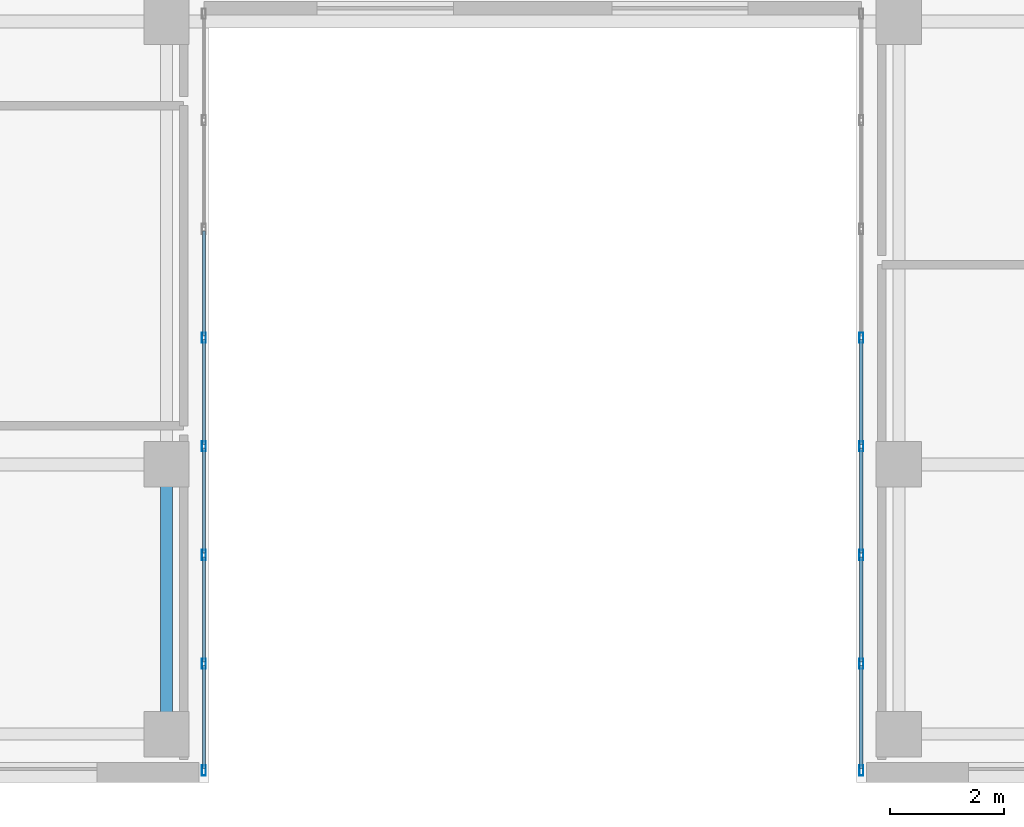
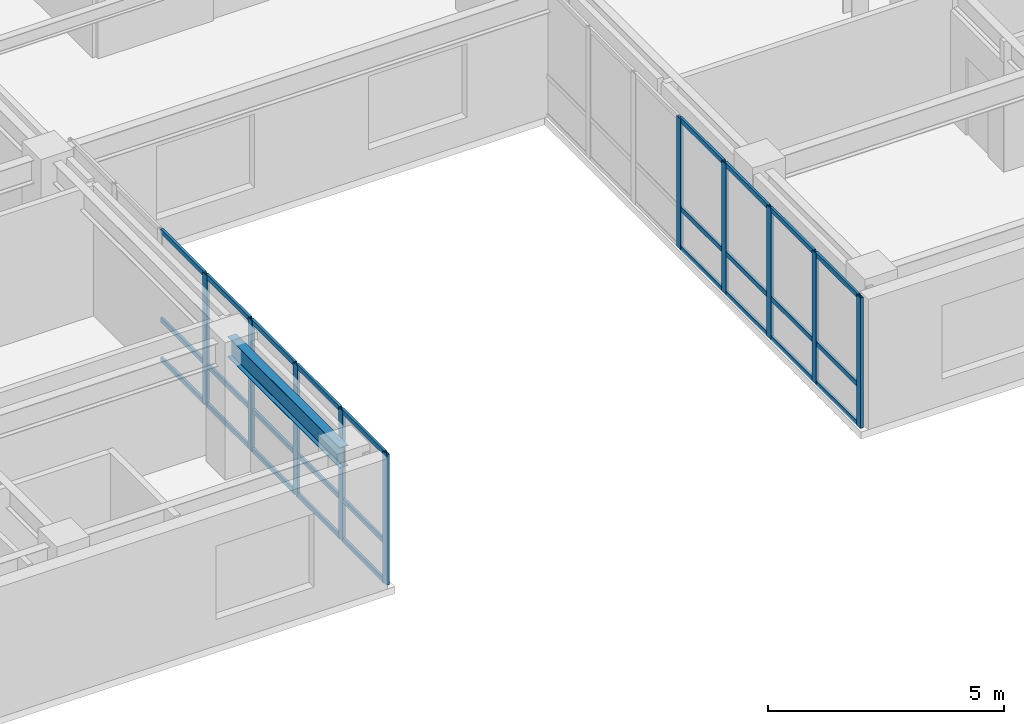
# One storey, part 3 of 14: 37 members, 1 beam, 2 elements without a shape of their own.
"""IFC4 building model written with IfcOpenShell, lengths in metres."""

from ifc_helpers import new_model, si_unit, direction, frame, origin, origin_2d, place, context, subcontext, project, spatial, hollow_rectangle, i_section, extrude, source, transform, mapped, material, layer, layer_set, material_profile, profile_set, type_object, type_shapes, element, aggregate, save


model = new_model("IFC4")

# Units and contexts
model_context = context("Model", 3, precision=1e-05, world=origin(), true_north=direction((0.0, 1.0)))
body_context = subcontext(model_context, "Body", "Model", "MODEL_VIEW")
ifc_project = project(units=[si_unit("LENGTHUNIT", "METRE"), si_unit("AREAUNIT", "SQUARE_METRE"), si_unit("VOLUMEUNIT", "CUBIC_METRE"), si_unit("PLANEANGLEUNIT", "RADIAN"), si_unit("MASSUNIT", "GRAM", prefix="KILO")], contexts=[model_context])

# Site, building, storey
site_placement = place(None, origin())
site = spatial("IfcSite", under=ifc_project, at=site_placement, CompositionType="ELEMENT")
building_placement = place(site_placement, origin())
building = spatial("IfcBuilding", under=site, at=building_placement, Name="Tolvann Quenvar Hotel", CompositionType="ELEMENT")
storey_placement = place(building_placement, frame((0.0, 0.0, 187.550048828125)))
storey = spatial("IfcBuildingStorey", under=building, at=storey_placement, Name="L49", CompositionType="ELEMENT", Elevation=187.550048828125)

# Beam
ifc_material_1 = material(Name="Steel Grade 350", Category="steel")
ifc_material_profile_1 = material_profile(ifc_material_1, i_section(OverallWidth=0.208984375, OverallDepth=0.532958984375, WebThickness=0.01025390625, FlangeThickness=0.015625, FilletRadius=0.013916015625, at=origin_2d()), Name="530UB92")
ifc_profile_set_1 = profile_set([ifc_material_profile_1], Name="Steel Grade 350")
beam_type = type_object("IfcBeamType", Name="BM_GIRD_530UB92", PredefinedType="BEAM", material=ifc_profile_set_1)
shared_shape_1 = source(origin(), body_context, "Body", "SweptSolid", [
    extrude(i_section(OverallWidth=0.208984375, OverallDepth=0.532958984375, WebThickness=0.01025390625, FlangeThickness=0.015625, FilletRadius=0.013916015625, at=origin_2d()), origin(), (0.0, 0.0, 1.0), 4.75),
])
type_shapes(beam_type, [shared_shape_1])
beam_placement = place(storey_placement, frame((22.050048828125, 3.449951171875, 3.103515625), z_axis=(0.0, 1.0, 0.0), x_axis=(-1.0, 0.0, 0.0)))
element("IfcBeam", 1, at=beam_placement, inside=storey, type_object=beam_type, Name="BM-L49-NS-E2-E3", PredefinedType="BEAM", context=body_context, shape_type="MappedRepresentation", body=[
    mapped(shared_shape_1, transform((0.0, 0.0, 0.0), x_axis=(1.0, 0.0, 0.0), y_axis=(0.0, 1.0, 0.0), z_axis=(0.0, 0.0, 1.0), scale=1.0)),
])

# Curtain wall, members
ifc_material_2 = material(Name="Thermally broken anodised architectural aluminium 6063-T6 and laminated low-E glass", Category="aluminium")
ifc_layer = layer(ifc_material_2, 0.179931640625)
ifc_layer_set = layer_set([ifc_layer], Name="Thermally broken anodised architectural aluminium 6063-T6 and laminated low-E glass")
curtain_wall_type = type_object("IfcCurtainWallType", Name="CW_SYS_SLOT_03", PredefinedType="USERDEFINED", material=ifc_layer_set)
curtain_wall_1_placement = place(storey_placement, origin())
curtain_wall_1 = element("IfcCurtainWall", 2, at=curtain_wall_1_placement, inside=storey, type_object=curtain_wall_type, Name="Curtain Wall CW-SLOT-03 (CWR-L49-E05)", ObjectType="UNITISED CURTAIN WALL", PredefinedType="USERDEFINED")
ifc_material_3 = material(Name="Anodised architectural aluminium 6063-T6 framing", Category="aluminium")
ifc_material_profile_2 = material_profile(ifc_material_3, hollow_rectangle(XDim=0.070068359375, YDim=0.179931640625, WallThickness=0.00390625, at=origin_2d()), Name="180x70x4RHS")
ifc_profile_set_2 = profile_set([ifc_material_profile_2], Name="Anodised architectural aluminium 6063-T6 framing")
member_type_1 = type_object("IfcMemberType", Name="CW_MULL_180x70", PredefinedType="MULLION", material=ifc_profile_set_2)
shared_shape_2 = source(origin(), body_context, "Body", "SweptSolid", [
    extrude(hollow_rectangle(XDim=0.070068359375, YDim=0.179931640625, WallThickness=0.00390625, at=origin_2d()), origin(), (0.0, 0.0, 1.0), 3.369873046875),
])
type_shapes(member_type_1, [shared_shape_2])
member_1_placement = place(storey_placement, frame((22.7099609375, 2.81005859375, 0.0), z_axis=(0.0, 0.0, 1.0), x_axis=(-1.0, 0.0, 0.0)))
member_1 = element("IfcMember", 3, at=member_1_placement, type_object=member_type_1, Name="CW-SLOT-03 mullion 1", PredefinedType="MULLION", context=body_context, shape_type="MappedRepresentation", body=[
    mapped(shared_shape_2, transform((0.0, 0.0, 0.0), x_axis=(1.0, 0.0, 0.0), y_axis=(0.0, 1.0, 0.0), z_axis=(0.0, 0.0, 1.0), scale=1.0)),
])
member_2_placement = place(storey_placement, frame((22.7099609375, 4.689208984375, 0.0), z_axis=(0.0, 0.0, 1.0), x_axis=(-1.0, 0.0, 0.0)))
member_2 = element("IfcMember", 4, at=member_2_placement, type_object=member_type_1, Name="CW-SLOT-03 mullion 2", PredefinedType="MULLION", context=body_context, shape_type="MappedRepresentation", body=[
    mapped(shared_shape_2, transform((0.0, 0.0, 0.0), x_axis=(1.0, 0.0, 0.0), y_axis=(0.0, 1.0, 0.0), z_axis=(0.0, 0.0, 1.0), scale=1.0)),
])
member_3_placement = place(storey_placement, frame((22.7099609375, 6.603515625, 0.0), z_axis=(0.0, 0.0, 1.0), x_axis=(-1.0, 0.0, 0.0)))
member_3 = element("IfcMember", 5, at=member_3_placement, type_object=member_type_1, Name="CW-SLOT-03 mullion 3", PredefinedType="MULLION", context=body_context, shape_type="MappedRepresentation", body=[
    mapped(shared_shape_2, transform((0.0, 0.0, 0.0), x_axis=(1.0, 0.0, 0.0), y_axis=(0.0, 1.0, 0.0), z_axis=(0.0, 0.0, 1.0), scale=1.0)),
])
member_4_placement = place(storey_placement, frame((22.7099609375, 8.517822265625, 0.0), z_axis=(0.0, 0.0, 1.0), x_axis=(-1.0, 0.0, 0.0)))
member_4 = element("IfcMember", 6, at=member_4_placement, type_object=member_type_1, Name="CW-SLOT-03 mullion 4", PredefinedType="MULLION", context=body_context, shape_type="MappedRepresentation", body=[
    mapped(shared_shape_2, transform((0.0, 0.0, 0.0), x_axis=(1.0, 0.0, 0.0), y_axis=(0.0, 1.0, 0.0), z_axis=(0.0, 0.0, 1.0), scale=1.0)),
])
member_5_placement = place(storey_placement, frame((22.7099609375, 10.43212890625, 0.0), z_axis=(0.0, 0.0, 1.0), x_axis=(-1.0, 0.0, 0.0)))
member_5 = element("IfcMember", 7, at=member_5_placement, type_object=member_type_1, Name="CW-SLOT-03 mullion 5", PredefinedType="MULLION", context=body_context, shape_type="MappedRepresentation", body=[
    mapped(shared_shape_2, transform((0.0, 0.0, 0.0), x_axis=(1.0, 0.0, 0.0), y_axis=(0.0, 1.0, 0.0), z_axis=(0.0, 0.0, 1.0), scale=1.0)),
])

curtain_wall_2_placement = place(storey_placement, origin())
curtain_wall_2 = element("IfcCurtainWall", 8, at=curtain_wall_2_placement, inside=storey, type_object=curtain_wall_type, Name="Curtain Wall CW-SLOT-03 (CWR-L49-E07)", ObjectType="UNITISED CURTAIN WALL", PredefinedType="USERDEFINED")
member_6_placement = place(storey_placement, frame((34.2900390625, 10.43212890625, 0.0), z_axis=(0.0, 0.0, 1.0), x_axis=(1.0, 0.0, 0.0)))
member_6 = element("IfcMember", 9, at=member_6_placement, type_object=member_type_1, Name="CW-SLOT-03 mullion 4", PredefinedType="MULLION", context=body_context, shape_type="MappedRepresentation", body=[
    mapped(shared_shape_2, transform((0.0, 0.0, 0.0), x_axis=(1.0, 0.0, 0.0), y_axis=(0.0, 1.0, 0.0), z_axis=(0.0, 0.0, 1.0), scale=1.0)),
])
member_7_placement = place(storey_placement, frame((34.2900390625, 8.517822265625, 0.0), z_axis=(0.0, 0.0, 1.0), x_axis=(1.0, 0.0, 0.0)))
member_7 = element("IfcMember", 10, at=member_7_placement, type_object=member_type_1, Name="CW-SLOT-03 mullion 5", PredefinedType="MULLION", context=body_context, shape_type="MappedRepresentation", body=[
    mapped(shared_shape_2, transform((0.0, 0.0, 0.0), x_axis=(1.0, 0.0, 0.0), y_axis=(0.0, 1.0, 0.0), z_axis=(0.0, 0.0, 1.0), scale=1.0)),
])
member_8_placement = place(storey_placement, frame((34.2900390625, 6.603515625, 0.0), z_axis=(0.0, 0.0, 1.0), x_axis=(1.0, 0.0, 0.0)))
member_8 = element("IfcMember", 11, at=member_8_placement, type_object=member_type_1, Name="CW-SLOT-03 mullion 6", PredefinedType="MULLION", context=body_context, shape_type="MappedRepresentation", body=[
    mapped(shared_shape_2, transform((0.0, 0.0, 0.0), x_axis=(1.0, 0.0, 0.0), y_axis=(0.0, 1.0, 0.0), z_axis=(0.0, 0.0, 1.0), scale=1.0)),
])
member_9_placement = place(storey_placement, frame((34.2900390625, 4.689208984375, 0.0), z_axis=(0.0, 0.0, 1.0), x_axis=(1.0, 0.0, 0.0)))
member_9 = element("IfcMember", 12, at=member_9_placement, type_object=member_type_1, Name="CW-SLOT-03 mullion 7", PredefinedType="MULLION", context=body_context, shape_type="MappedRepresentation", body=[
    mapped(shared_shape_2, transform((0.0, 0.0, 0.0), x_axis=(1.0, 0.0, 0.0), y_axis=(0.0, 1.0, 0.0), z_axis=(0.0, 0.0, 1.0), scale=1.0)),
])
member_10_placement = place(storey_placement, frame((34.2900390625, 2.81005859375, 0.0), z_axis=(0.0, 0.0, 1.0), x_axis=(1.0, 0.0, 0.0)))
member_10 = element("IfcMember", 13, at=member_10_placement, type_object=member_type_1, Name="CW-SLOT-03 mullion 8", PredefinedType="MULLION", context=body_context, shape_type="MappedRepresentation", body=[
    mapped(shared_shape_2, transform((0.0, 0.0, 0.0), x_axis=(1.0, 0.0, 0.0), y_axis=(0.0, 1.0, 0.0), z_axis=(0.0, 0.0, 1.0), scale=1.0)),
])

# Member
ifc_material_profile_3 = material_profile(ifc_material_3, hollow_rectangle(XDim=0.06005859375, YDim=0.1201171875, WallThickness=0.00341796875, at=origin_2d()), Name="120x60x3.5RHS")
ifc_profile_set_3 = profile_set([ifc_material_profile_3], Name="Anodised architectural aluminium 6063-T6 framing")
member_type_2 = type_object("IfcMemberType", Name="CW_TRAN_120x60", PredefinedType="USERDEFINED", material=ifc_profile_set_3)
shared_shape_3 = source(origin(), body_context, "Body", "SweptSolid", [
    extrude(hollow_rectangle(XDim=0.06005859375, YDim=0.1201171875, WallThickness=0.00341796875, at=origin_2d()), origin(), (0.0, 0.0, 1.0), 1.809326171875),
])
member_11_placement = place(storey_placement, frame((22.7099609375, 2.844970703125, 0.030029296875), z_axis=(0.0, 1.0, 0.0), x_axis=(-1.0, 0.0, 0.0)))
member_11 = element("IfcMember", 14, at=member_11_placement, type_object=member_type_2, Name="CW-SLOT-03 transom 1.1", ObjectType="TRANSOM", PredefinedType="USERDEFINED", context=body_context, shape_type="MappedRepresentation", body=[
    mapped(shared_shape_3, transform((0.0, 0.0, 0.0), x_axis=(1.0, 0.0, 0.0), y_axis=(0.0, 1.0, 0.0), z_axis=(0.0, 0.0, 1.0), scale=1.0)),
])

member_12_placement = place(storey_placement, frame((22.7099609375, 2.844970703125, 1.050048828125), z_axis=(0.0, 1.0, 0.0), x_axis=(-1.0, 0.0, 0.0)))
member_12 = element("IfcMember", 15, at=member_12_placement, type_object=member_type_2, Name="CW-SLOT-03 transom 1.2", ObjectType="TRANSOM", PredefinedType="USERDEFINED", context=body_context, shape_type="MappedRepresentation", body=[
    mapped(shared_shape_3, transform((0.0, 0.0, 0.0), x_axis=(1.0, 0.0, 0.0), y_axis=(0.0, 1.0, 0.0), z_axis=(0.0, 0.0, 1.0), scale=1.0)),
])

member_13_placement = place(storey_placement, frame((22.7099609375, 2.844970703125, 3.33984375), z_axis=(0.0, 1.0, 0.0), x_axis=(-1.0, 0.0, 0.0)))
member_13 = element("IfcMember", 16, at=member_13_placement, type_object=member_type_2, Name="CW-SLOT-03 transom 1.3", ObjectType="TRANSOM", PredefinedType="USERDEFINED", context=body_context, shape_type="MappedRepresentation", body=[
    mapped(shared_shape_3, transform((0.0, 0.0, 0.0), x_axis=(1.0, 0.0, 0.0), y_axis=(0.0, 1.0, 0.0), z_axis=(0.0, 0.0, 1.0), scale=1.0)),
])

member_14_placement = place(storey_placement, frame((34.2900390625, 4.654296875, 0.030029296875), z_axis=(0.0, -1.0, 0.0), x_axis=(1.0, 0.0, 0.0)))
member_14 = element("IfcMember", 17, at=member_14_placement, type_object=member_type_2, Name="CW-SLOT-03 transom 7.1", ObjectType="TRANSOM", PredefinedType="USERDEFINED", context=body_context, shape_type="MappedRepresentation", body=[
    mapped(shared_shape_3, transform((0.0, 0.0, 0.0), x_axis=(1.0, 0.0, 0.0), y_axis=(0.0, 1.0, 0.0), z_axis=(0.0, 0.0, 1.0), scale=1.0)),
])

member_15_placement = place(storey_placement, frame((34.2900390625, 4.654296875, 1.050048828125), z_axis=(0.0, -1.0, 0.0), x_axis=(1.0, 0.0, 0.0)))
member_15 = element("IfcMember", 18, at=member_15_placement, type_object=member_type_2, Name="CW-SLOT-03 transom 7.2", ObjectType="TRANSOM", PredefinedType="USERDEFINED", context=body_context, shape_type="MappedRepresentation", body=[
    mapped(shared_shape_3, transform((0.0, 0.0, 0.0), x_axis=(1.0, 0.0, 0.0), y_axis=(0.0, 1.0, 0.0), z_axis=(0.0, 0.0, 1.0), scale=1.0)),
])

member_16_placement = place(storey_placement, frame((34.2900390625, 4.654296875, 3.33984375), z_axis=(0.0, -1.0, 0.0), x_axis=(1.0, 0.0, 0.0)))
member_16 = element("IfcMember", 19, at=member_16_placement, type_object=member_type_2, Name="CW-SLOT-03 transom 7.3", ObjectType="TRANSOM", PredefinedType="USERDEFINED", context=body_context, shape_type="MappedRepresentation", body=[
    mapped(shared_shape_3, transform((0.0, 0.0, 0.0), x_axis=(1.0, 0.0, 0.0), y_axis=(0.0, 1.0, 0.0), z_axis=(0.0, 0.0, 1.0), scale=1.0)),
])

shared_shape_4 = source(origin(), body_context, "Body", "SweptSolid", [
    extrude(hollow_rectangle(XDim=0.06005859375, YDim=0.1201171875, WallThickness=0.00341796875, at=origin_2d()), origin(), (0.0, 0.0, 1.0), 1.84423828125),
])
member_17_placement = place(storey_placement, frame((22.7099609375, 4.724365234375, 0.030029296875), z_axis=(0.0, 1.0, 0.0), x_axis=(-1.0, 0.0, 0.0)))
member_17 = element("IfcMember", 20, at=member_17_placement, type_object=member_type_2, Name="CW-SLOT-03 transom 2.1", ObjectType="TRANSOM", PredefinedType="USERDEFINED", context=body_context, shape_type="MappedRepresentation", body=[
    mapped(shared_shape_4, transform((0.0, 0.0, 0.0), x_axis=(1.0, 0.0, 0.0), y_axis=(0.0, 1.0, 0.0), z_axis=(0.0, 0.0, 1.0), scale=1.0)),
])

member_18_placement = place(storey_placement, frame((22.7099609375, 4.724365234375, 1.050048828125), z_axis=(0.0, 1.0, 0.0), x_axis=(-1.0, 0.0, 0.0)))
member_18 = element("IfcMember", 21, at=member_18_placement, type_object=member_type_2, Name="CW-SLOT-03 transom 2.2", ObjectType="TRANSOM", PredefinedType="USERDEFINED", context=body_context, shape_type="MappedRepresentation", body=[
    mapped(shared_shape_4, transform((0.0, 0.0, 0.0), x_axis=(1.0, 0.0, 0.0), y_axis=(0.0, 1.0, 0.0), z_axis=(0.0, 0.0, 1.0), scale=1.0)),
])

member_19_placement = place(storey_placement, frame((22.7099609375, 4.724365234375, 3.33984375), z_axis=(0.0, 1.0, 0.0), x_axis=(-1.0, 0.0, 0.0)))
member_19 = element("IfcMember", 22, at=member_19_placement, type_object=member_type_2, Name="CW-SLOT-03 transom 2.3", ObjectType="TRANSOM", PredefinedType="USERDEFINED", context=body_context, shape_type="MappedRepresentation", body=[
    mapped(shared_shape_4, transform((0.0, 0.0, 0.0), x_axis=(1.0, 0.0, 0.0), y_axis=(0.0, 1.0, 0.0), z_axis=(0.0, 0.0, 1.0), scale=1.0)),
])

member_20_placement = place(storey_placement, frame((22.7099609375, 6.638671875, 0.030029296875), z_axis=(0.0, 1.0, 0.0), x_axis=(-1.0, 0.0, 0.0)))
member_20 = element("IfcMember", 23, at=member_20_placement, type_object=member_type_2, Name="CW-SLOT-03 transom 3.1", ObjectType="TRANSOM", PredefinedType="USERDEFINED", context=body_context, shape_type="MappedRepresentation", body=[
    mapped(shared_shape_4, transform((0.0, 0.0, 0.0), x_axis=(1.0, 0.0, 0.0), y_axis=(0.0, 1.0, 0.0), z_axis=(0.0, 0.0, 1.0), scale=1.0)),
])

member_21_placement = place(storey_placement, frame((22.7099609375, 6.638671875, 1.050048828125), z_axis=(0.0, 1.0, 0.0), x_axis=(-1.0, 0.0, 0.0)))
member_21 = element("IfcMember", 24, at=member_21_placement, type_object=member_type_2, Name="CW-SLOT-03 transom 3.2", ObjectType="TRANSOM", PredefinedType="USERDEFINED", context=body_context, shape_type="MappedRepresentation", body=[
    mapped(shared_shape_4, transform((0.0, 0.0, 0.0), x_axis=(1.0, 0.0, 0.0), y_axis=(0.0, 1.0, 0.0), z_axis=(0.0, 0.0, 1.0), scale=1.0)),
])

member_22_placement = place(storey_placement, frame((22.7099609375, 6.638671875, 3.33984375), z_axis=(0.0, 1.0, 0.0), x_axis=(-1.0, 0.0, 0.0)))
member_22 = element("IfcMember", 25, at=member_22_placement, type_object=member_type_2, Name="CW-SLOT-03 transom 3.3", ObjectType="TRANSOM", PredefinedType="USERDEFINED", context=body_context, shape_type="MappedRepresentation", body=[
    mapped(shared_shape_4, transform((0.0, 0.0, 0.0), x_axis=(1.0, 0.0, 0.0), y_axis=(0.0, 1.0, 0.0), z_axis=(0.0, 0.0, 1.0), scale=1.0)),
])

member_23_placement = place(storey_placement, frame((22.7099609375, 8.552978515625, 0.030029296875), z_axis=(0.0, 1.0, 0.0), x_axis=(-1.0, 0.0, 0.0)))
member_23 = element("IfcMember", 26, at=member_23_placement, type_object=member_type_2, Name="CW-SLOT-03 transom 4.1", ObjectType="TRANSOM", PredefinedType="USERDEFINED", context=body_context, shape_type="MappedRepresentation", body=[
    mapped(shared_shape_4, transform((0.0, 0.0, 0.0), x_axis=(1.0, 0.0, 0.0), y_axis=(0.0, 1.0, 0.0), z_axis=(0.0, 0.0, 1.0), scale=1.0)),
])

member_24_placement = place(storey_placement, frame((22.7099609375, 8.552978515625, 1.050048828125), z_axis=(0.0, 1.0, 0.0), x_axis=(-1.0, 0.0, 0.0)))
member_24 = element("IfcMember", 27, at=member_24_placement, type_object=member_type_2, Name="CW-SLOT-03 transom 4.2", ObjectType="TRANSOM", PredefinedType="USERDEFINED", context=body_context, shape_type="MappedRepresentation", body=[
    mapped(shared_shape_4, transform((0.0, 0.0, 0.0), x_axis=(1.0, 0.0, 0.0), y_axis=(0.0, 1.0, 0.0), z_axis=(0.0, 0.0, 1.0), scale=1.0)),
])

member_25_placement = place(storey_placement, frame((22.7099609375, 8.552978515625, 3.33984375), z_axis=(0.0, 1.0, 0.0), x_axis=(-1.0, 0.0, 0.0)))
member_25 = element("IfcMember", 28, at=member_25_placement, type_object=member_type_2, Name="CW-SLOT-03 transom 4.3", ObjectType="TRANSOM", PredefinedType="USERDEFINED", context=body_context, shape_type="MappedRepresentation", body=[
    mapped(shared_shape_4, transform((0.0, 0.0, 0.0), x_axis=(1.0, 0.0, 0.0), y_axis=(0.0, 1.0, 0.0), z_axis=(0.0, 0.0, 1.0), scale=1.0)),
])

member_26_placement = place(storey_placement, frame((34.2900390625, 10.397216796875, 0.030029296875), z_axis=(0.0, -1.0, 0.0), x_axis=(1.0, 0.0, 0.0)))
member_26 = element("IfcMember", 29, at=member_26_placement, type_object=member_type_2, Name="CW-SLOT-03 transom 4.1", ObjectType="TRANSOM", PredefinedType="USERDEFINED", context=body_context, shape_type="MappedRepresentation", body=[
    mapped(shared_shape_4, transform((0.0, 0.0, 0.0), x_axis=(1.0, 0.0, 0.0), y_axis=(0.0, 1.0, 0.0), z_axis=(0.0, 0.0, 1.0), scale=1.0)),
])

member_27_placement = place(storey_placement, frame((34.2900390625, 10.397216796875, 1.050048828125), z_axis=(0.0, -1.0, 0.0), x_axis=(1.0, 0.0, 0.0)))
member_27 = element("IfcMember", 30, at=member_27_placement, type_object=member_type_2, Name="CW-SLOT-03 transom 4.2", ObjectType="TRANSOM", PredefinedType="USERDEFINED", context=body_context, shape_type="MappedRepresentation", body=[
    mapped(shared_shape_4, transform((0.0, 0.0, 0.0), x_axis=(1.0, 0.0, 0.0), y_axis=(0.0, 1.0, 0.0), z_axis=(0.0, 0.0, 1.0), scale=1.0)),
])

member_28_placement = place(storey_placement, frame((34.2900390625, 10.397216796875, 3.33984375), z_axis=(0.0, -1.0, 0.0), x_axis=(1.0, 0.0, 0.0)))
member_28 = element("IfcMember", 31, at=member_28_placement, type_object=member_type_2, Name="CW-SLOT-03 transom 4.3", ObjectType="TRANSOM", PredefinedType="USERDEFINED", context=body_context, shape_type="MappedRepresentation", body=[
    mapped(shared_shape_4, transform((0.0, 0.0, 0.0), x_axis=(1.0, 0.0, 0.0), y_axis=(0.0, 1.0, 0.0), z_axis=(0.0, 0.0, 1.0), scale=1.0)),
])

member_29_placement = place(storey_placement, frame((34.2900390625, 8.48291015625, 0.030029296875), z_axis=(0.0, -1.0, 0.0), x_axis=(1.0, 0.0, 0.0)))
member_29 = element("IfcMember", 32, at=member_29_placement, type_object=member_type_2, Name="CW-SLOT-03 transom 5.1", ObjectType="TRANSOM", PredefinedType="USERDEFINED", context=body_context, shape_type="MappedRepresentation", body=[
    mapped(shared_shape_4, transform((0.0, 0.0, 0.0), x_axis=(1.0, 0.0, 0.0), y_axis=(0.0, 1.0, 0.0), z_axis=(0.0, 0.0, 1.0), scale=1.0)),
])

member_30_placement = place(storey_placement, frame((34.2900390625, 8.48291015625, 1.050048828125), z_axis=(0.0, -1.0, 0.0), x_axis=(1.0, 0.0, 0.0)))
member_30 = element("IfcMember", 33, at=member_30_placement, type_object=member_type_2, Name="CW-SLOT-03 transom 5.2", ObjectType="TRANSOM", PredefinedType="USERDEFINED", context=body_context, shape_type="MappedRepresentation", body=[
    mapped(shared_shape_4, transform((0.0, 0.0, 0.0), x_axis=(1.0, 0.0, 0.0), y_axis=(0.0, 1.0, 0.0), z_axis=(0.0, 0.0, 1.0), scale=1.0)),
])

member_31_placement = place(storey_placement, frame((34.2900390625, 8.48291015625, 3.33984375), z_axis=(0.0, -1.0, 0.0), x_axis=(1.0, 0.0, 0.0)))
member_31 = element("IfcMember", 34, at=member_31_placement, type_object=member_type_2, Name="CW-SLOT-03 transom 5.3", ObjectType="TRANSOM", PredefinedType="USERDEFINED", context=body_context, shape_type="MappedRepresentation", body=[
    mapped(shared_shape_4, transform((0.0, 0.0, 0.0), x_axis=(1.0, 0.0, 0.0), y_axis=(0.0, 1.0, 0.0), z_axis=(0.0, 0.0, 1.0), scale=1.0)),
])

member_32_placement = place(storey_placement, frame((34.2900390625, 6.568603515625, 0.030029296875), z_axis=(0.0, -1.0, 0.0), x_axis=(1.0, 0.0, 0.0)))
member_32 = element("IfcMember", 35, at=member_32_placement, type_object=member_type_2, Name="CW-SLOT-03 transom 6.1", ObjectType="TRANSOM", PredefinedType="USERDEFINED", context=body_context, shape_type="MappedRepresentation", body=[
    mapped(shared_shape_4, transform((0.0, 0.0, 0.0), x_axis=(1.0, 0.0, 0.0), y_axis=(0.0, 1.0, 0.0), z_axis=(0.0, 0.0, 1.0), scale=1.0)),
])

member_33_placement = place(storey_placement, frame((34.2900390625, 6.568603515625, 1.050048828125), z_axis=(0.0, -1.0, 0.0), x_axis=(1.0, 0.0, 0.0)))
member_33 = element("IfcMember", 36, at=member_33_placement, type_object=member_type_2, Name="CW-SLOT-03 transom 6.2", ObjectType="TRANSOM", PredefinedType="USERDEFINED", context=body_context, shape_type="MappedRepresentation", body=[
    mapped(shared_shape_4, transform((0.0, 0.0, 0.0), x_axis=(1.0, 0.0, 0.0), y_axis=(0.0, 1.0, 0.0), z_axis=(0.0, 0.0, 1.0), scale=1.0)),
])

member_34_placement = place(storey_placement, frame((34.2900390625, 6.568603515625, 3.33984375), z_axis=(0.0, -1.0, 0.0), x_axis=(1.0, 0.0, 0.0)))
member_34 = element("IfcMember", 37, at=member_34_placement, type_object=member_type_2, Name="CW-SLOT-03 transom 6.3", ObjectType="TRANSOM", PredefinedType="USERDEFINED", context=body_context, shape_type="MappedRepresentation", body=[
    mapped(shared_shape_4, transform((0.0, 0.0, 0.0), x_axis=(1.0, 0.0, 0.0), y_axis=(0.0, 1.0, 0.0), z_axis=(0.0, 0.0, 1.0), scale=1.0)),
])

aggregate(curtain_wall_2, [member_6, member_7, member_8, member_9, member_10, member_26, member_27, member_28, member_29, member_30, member_31, member_32, member_33, member_34, member_14, member_15, member_16])

shared_shape_5 = source(origin(), body_context, "Body", "SweptSolid", [
    extrude(hollow_rectangle(XDim=0.06005859375, YDim=0.1201171875, WallThickness=0.00341796875, at=origin_2d()), origin(), (0.0, 0.0, 1.0), 1.844482421875),
])
type_shapes(member_type_2, [shared_shape_3, shared_shape_4, shared_shape_5])
member_35_placement = place(storey_placement, frame((22.7099609375, 10.467041015625, 0.030029296875), z_axis=(0.0, 1.0, 0.0), x_axis=(-1.0, 0.0, 0.0)))
member_35 = element("IfcMember", 38, at=member_35_placement, type_object=member_type_2, Name="CW-SLOT-03 transom 5.1", ObjectType="TRANSOM", PredefinedType="USERDEFINED", context=body_context, shape_type="MappedRepresentation", body=[
    mapped(shared_shape_5, transform((0.0, 0.0, 0.0), x_axis=(1.0, 0.0, 0.0), y_axis=(0.0, 1.0, 0.0), z_axis=(0.0, 0.0, 1.0), scale=1.0)),
])

member_36_placement = place(storey_placement, frame((22.7099609375, 10.467041015625, 1.050048828125), z_axis=(0.0, 1.0, 0.0), x_axis=(-1.0, 0.0, 0.0)))
member_36 = element("IfcMember", 39, at=member_36_placement, type_object=member_type_2, Name="CW-SLOT-03 transom 5.2", ObjectType="TRANSOM", PredefinedType="USERDEFINED", context=body_context, shape_type="MappedRepresentation", body=[
    mapped(shared_shape_5, transform((0.0, 0.0, 0.0), x_axis=(1.0, 0.0, 0.0), y_axis=(0.0, 1.0, 0.0), z_axis=(0.0, 0.0, 1.0), scale=1.0)),
])

member_37_placement = place(storey_placement, frame((22.7099609375, 10.467041015625, 3.33984375), z_axis=(0.0, 1.0, 0.0), x_axis=(-1.0, 0.0, 0.0)))
member_37 = element("IfcMember", 40, at=member_37_placement, type_object=member_type_2, Name="CW-SLOT-03 transom 5.3", ObjectType="TRANSOM", PredefinedType="USERDEFINED", context=body_context, shape_type="MappedRepresentation", body=[
    mapped(shared_shape_5, transform((0.0, 0.0, 0.0), x_axis=(1.0, 0.0, 0.0), y_axis=(0.0, 1.0, 0.0), z_axis=(0.0, 0.0, 1.0), scale=1.0)),
])

aggregate(curtain_wall_1, [member_1, member_2, member_3, member_4, member_5, member_11, member_12, member_13, member_17, member_18, member_19, member_20, member_21, member_22, member_23, member_24, member_25, member_35, member_36, member_37])

save(model, "model.ifc")
